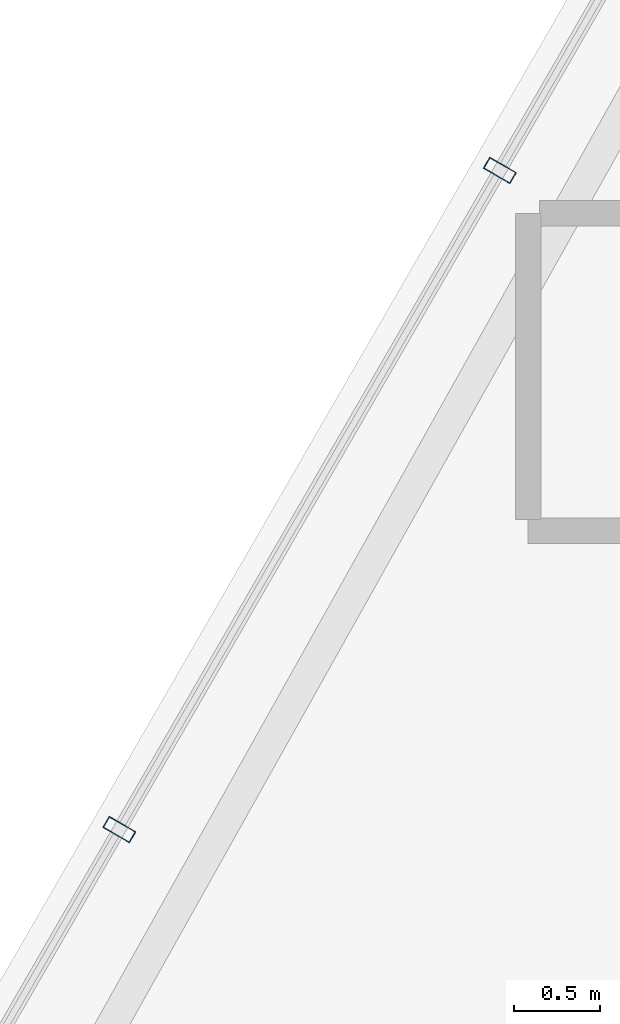
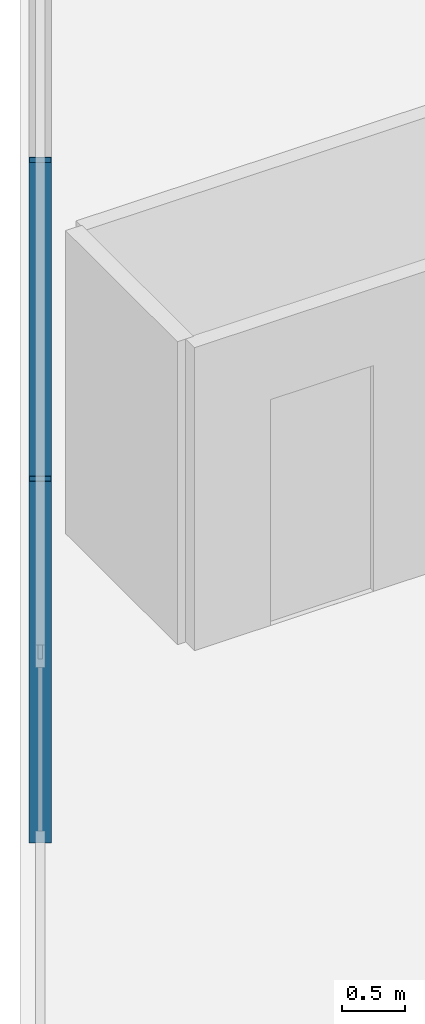
# One storey, part 6 of 35: 2 members, 1 element without a shape of its own.
"""IFC4 building model written with IfcOpenShell, lengths in metres."""

from ifc_helpers import new_model, si_unit, direction, frame, origin, origin_2d, place, context, subcontext, project, spatial, hollow_rectangle, extrude, material, layer, layer_set, material_profile, profile_set, type_object, element, aggregate, save


model = new_model("IFC4")

# Units and contexts
model_context = context("Model", 3, precision=1e-05, world=origin(), true_north=direction((0.0, 1.0)))
body_context = subcontext(model_context, "Body", "Model", "MODEL_VIEW")
ifc_project = project(units=[si_unit("LENGTHUNIT", "METRE"), si_unit("AREAUNIT", "SQUARE_METRE"), si_unit("VOLUMEUNIT", "CUBIC_METRE"), si_unit("PLANEANGLEUNIT", "RADIAN"), si_unit("MASSUNIT", "GRAM", prefix="KILO")], contexts=[model_context])

# Site, building, storey
site_placement = place(None, origin())
site = spatial("IfcSite", under=ifc_project, at=site_placement, CompositionType="ELEMENT")
building_placement = place(site_placement, origin())
building = spatial("IfcBuilding", under=site, at=building_placement, Name="Ndaravel Arena Tower", CompositionType="ELEMENT")
storey_placement = place(building_placement, frame((0.0, 0.0, 275.0)))
storey = spatial("IfcBuildingStorey", under=building, at=storey_placement, Name="L67", CompositionType="ELEMENT", Elevation=275.0)

# Curtain wall, members
ifc_material_1 = material(Name="Aluminium", Category="aluminium")
ifc_layer = layer(ifc_material_1, 0.179931640625)
ifc_layer_set = layer_set([ifc_layer], Name="Aluminium")
curtain_wall_type = type_object("IfcCurtainWallType", Name="CW-SYS-03", PredefinedType="NOTDEFINED", material=ifc_layer_set)
curtain_wall_placement = place(storey_placement, origin())
curtain_wall = element("IfcCurtainWall", 1, at=curtain_wall_placement, inside=storey, type_object=curtain_wall_type, Name="L67 Faceted Crystal Curtain Wall CW-L67-E05", PredefinedType="NOTDEFINED")
ifc_material_2 = material(Name="Aluminium", Category="aluminium")
ifc_material_profile = material_profile(ifc_material_2, hollow_rectangle(XDim=0.074951171875, YDim=0.179931640625, WallThickness=0.00390625, at=origin_2d()), Name="CW MULLION 75x180x4")
ifc_profile_set = profile_set([ifc_material_profile], Name="Aluminium")
member_type = type_object("IfcMemberType", Name="MEM-CW-MUL180", PredefinedType="MULLION", material=ifc_profile_set)
member_1_placement = place(storey_placement, frame((23.931396484375, 17.25, 0.0), z_axis=(0.0, 0.0, 1.0), x_axis=(-0.5, -0.866025403784, 0.0)))
member_1 = element("IfcMember", 2, at=member_1_placement, type_object=member_type, Name="CW-L67-E05 Mullion 07", PredefinedType="MULLION", context=body_context, shape_type="SweptSolid", body=[
    extrude(hollow_rectangle(XDim=0.074951171875, YDim=0.179931640625, WallThickness=0.00390625, at=origin_2d()), origin(), (0.0, 0.0, 1.0), 3.52001953125),
])
member_2_placement = place(storey_placement, frame((21.7138671875, 13.40869140625, 0.0), z_axis=(0.0, 0.0, 1.0), x_axis=(-0.5, -0.866025403784, 0.0)))
member_2 = element("IfcMember", 3, at=member_2_placement, type_object=member_type, Name="CW-L67-E05 Mullion 08", PredefinedType="MULLION", context=body_context, shape_type="SweptSolid", body=[
    extrude(hollow_rectangle(XDim=0.074951171875, YDim=0.179931640625, WallThickness=0.00390625, at=origin_2d()), origin(), (0.0, 0.0, 1.0), 3.52001953125),
])
aggregate(curtain_wall, [member_1, member_2])

save(model, "model.ifc")
